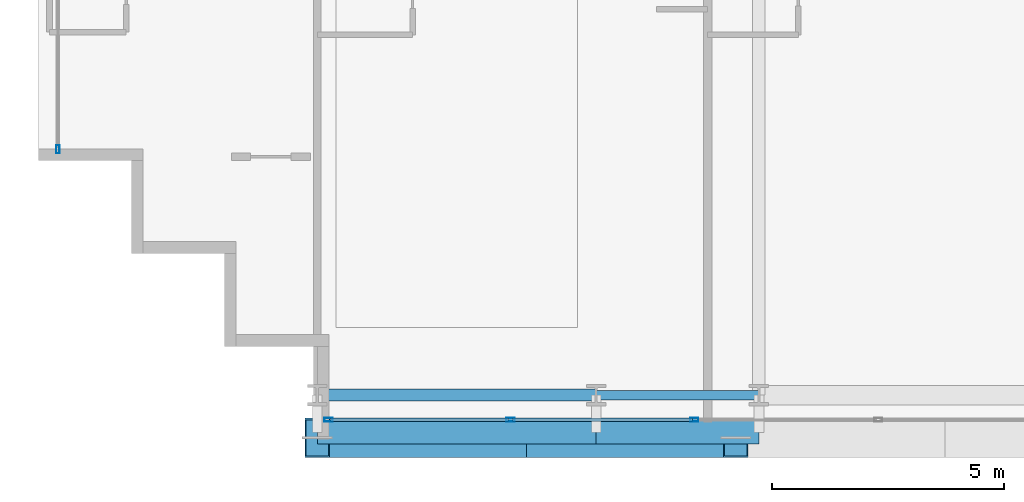
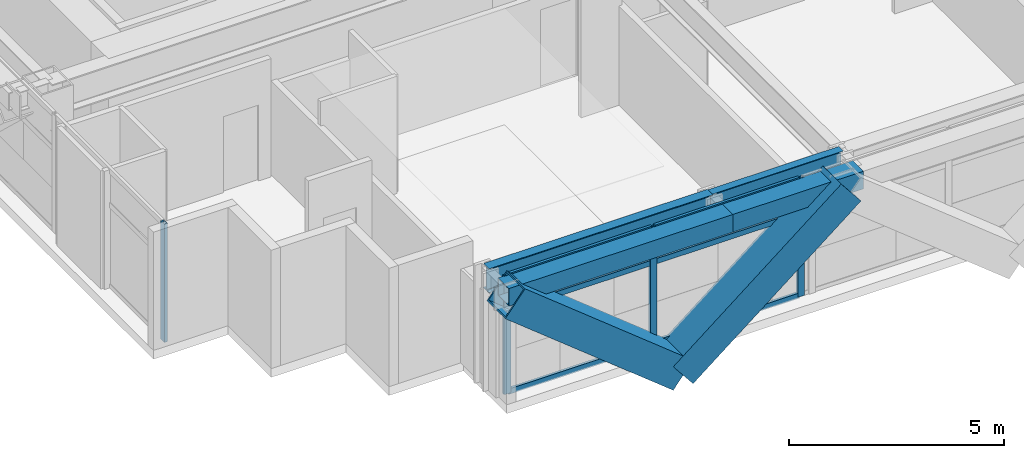
# One storey, part 2 of 38: 12 members, 4 beams, 2 elements without a shape of their own.
"""IFC4 building model written with IfcOpenShell, lengths in metres."""

from ifc_helpers import new_model, si_unit, direction, frame, origin, origin_2d, place, context, subcontext, project, spatial, hollow_rectangle, i_section, extrude, source, transform, mapped, material, layer, layer_set, material_profile, profile_set, type_object, element, aggregate, save


model = new_model("IFC4")

# Units and contexts
model_context = context("Model", 3, precision=1e-05, world=origin(), true_north=direction((0.0, 1.0)))
body_context = subcontext(model_context, "Body", "Model", "MODEL_VIEW")
ifc_project = project(units=[si_unit("LENGTHUNIT", "METRE"), si_unit("AREAUNIT", "SQUARE_METRE"), si_unit("VOLUMEUNIT", "CUBIC_METRE"), si_unit("PLANEANGLEUNIT", "RADIAN"), si_unit("MASSUNIT", "GRAM", prefix="KILO")], contexts=[model_context])

# Site, building, storey
site_placement = place(None, origin())
site = spatial("IfcSite", under=ifc_project, at=site_placement, CompositionType="ELEMENT")
building_placement = place(site_placement, origin())
building = spatial("IfcBuilding", under=site, at=building_placement, Name="Ocotamira Hotel", CompositionType="ELEMENT")
storey_placement = place(building_placement, frame((0.0, 0.0, 60.0)))
storey = spatial("IfcBuildingStorey", under=building, at=storey_placement, Name="L14", CompositionType="ELEMENT", Elevation=60.0)

# Beams
ifc_material_1 = material(Name="Steel ASTM A992 Grade 50", Category="steel")
ifc_material_profile_1 = material_profile(ifc_material_1, i_section(OverallWidth=0.256103515625, OverallDepth=0.693115234375, WebThickness=0.014404296875, FlangeThickness=0.023681640625, FilletRadius=0.01611328125, at=origin_2d()), Name="W27X114")
ifc_profile_set_1 = profile_set([ifc_material_profile_1], Name="Steel ASTM A992 Grade 50")
beam_type_1 = type_object("IfcBeamType", Name="BM-PRIM-W27X114", PredefinedType="BEAM", material=ifc_profile_set_1)
shared_shape_1 = source(origin(), body_context, "Body", "SweptSolid", [
    extrude(i_section(OverallWidth=0.256103515625, OverallDepth=0.693115234375, WebThickness=0.014404296875, FlangeThickness=0.023681640625, FilletRadius=0.01611328125, at=origin_2d()), origin(), (0.0, 0.0, 1.0), 6.0),
])
beam_1_placement = place(storey_placement, frame((14.0, 2.949951171875, 3.00341796875), z_axis=(1.0, 0.0, 0.0), x_axis=(0.0, 1.0, 0.0)))
element("IfcBeam", 1, at=beam_1_placement, inside=storey, type_object=beam_type_1, Name="L14 Girder Y2.95 X14-20", PredefinedType="BEAM", context=body_context, shape_type="MappedRepresentation", body=[
    mapped(shared_shape_1, transform((0.0, 0.0, 0.0), scale=1.0)),
])
ifc_material_profile_2 = material_profile(ifc_material_1, i_section(OverallWidth=0.2099609375, OverallDepth=0.537109375, WebThickness=0.010986328125, FlangeThickness=0.017333984375, FilletRadius=0.012939453125, at=origin_2d()), Name="W21X68")
ifc_profile_set_2 = profile_set([ifc_material_profile_2], Name="Steel ASTM A992 Grade 50")
beam_type_2 = type_object("IfcBeamType", Name="BM-SEC-W21X68", PredefinedType="JOIST", material=ifc_profile_set_2)
shared_shape_2 = source(origin(), body_context, "Body", "SweptSolid", [
    extrude(i_section(OverallWidth=0.2099609375, OverallDepth=0.537109375, WebThickness=0.010986328125, FlangeThickness=0.017333984375, FilletRadius=0.012939453125, at=origin_2d()), origin(), (0.0, 0.0, 1.0), 3.5),
])
beam_2_placement = place(storey_placement, frame((20.0, 2.949951171875, 3.08154296875), z_axis=(1.0, 0.0, 0.0), x_axis=(0.0, 1.0, 0.0)))
element("IfcBeam", 2, at=beam_2_placement, inside=storey, type_object=beam_type_2, Name="L14 Girder Y2.95 X20-23.5", PredefinedType="JOIST", context=body_context, shape_type="MappedRepresentation", body=[
    mapped(shared_shape_2, transform((0.0, 0.0, 0.0), scale=1.0)),
])
ifc_material_2 = material(Name="Steel ASTM A500 Grade C", Category="steel")
ifc_material_profile_3 = material_profile(ifc_material_2, hollow_rectangle(XDim=0.5, YDim=0.5, WallThickness=0.02001953125, at=origin_2d()), Name="HSS500X500X20")
ifc_profile_set_3 = profile_set([ifc_material_profile_3], Name="Steel ASTM A500 Grade C")
beam_type_3 = type_object("IfcBeamType", Name="BM-SPAN-HSS500", PredefinedType="USERDEFINED", material=ifc_profile_set_3)
shared_shape_3 = source(origin(), body_context, "Body", "SweptSolid", [
    extrude(hollow_rectangle(XDim=0.5, YDim=0.5, WallThickness=0.02001953125, at=origin_2d()), origin(), (0.0, 0.0, 1.0), 6.0),
])
beam_3_placement = place(storey_placement, frame((14.0, 2.14990234375, 3.10009765625), z_axis=(1.0, 0.0, 0.0), x_axis=(0.0, 1.0, 0.0)))
element("IfcBeam", 3, at=beam_3_placement, inside=storey, type_object=beam_type_3, Name="L14 Edge Spandrel S X14-20", ObjectType="SPANDREL", PredefinedType="USERDEFINED", context=body_context, shape_type="MappedRepresentation", body=[
    mapped(shared_shape_3, transform((0.0, 0.0, 0.0), scale=1.0)),
])
shared_shape_4 = source(origin(), body_context, "Body", "SweptSolid", [
    extrude(hollow_rectangle(XDim=0.5, YDim=0.5, WallThickness=0.02001953125, at=origin_2d()), origin(), (0.0, 0.0, 1.0), 3.5),
])
beam_4_placement = place(storey_placement, frame((20.0, 2.14990234375, 3.10009765625), z_axis=(1.0, 0.0, 0.0), x_axis=(0.0, 1.0, 0.0)))
element("IfcBeam", 4, at=beam_4_placement, inside=storey, type_object=beam_type_3, Name="L14 Edge Spandrel S X20-23.5", ObjectType="SPANDREL", PredefinedType="USERDEFINED", context=body_context, shape_type="MappedRepresentation", body=[
    mapped(shared_shape_4, transform((0.0, 0.0, 0.0), scale=1.0)),
])

# Members
ifc_material_3 = material(Name="Pale-metal coated steel ASTM A913 Grade 65", Category="steel")
ifc_material_profile_4 = material_profile(ifc_material_3, hollow_rectangle(XDim=0.85009765625, YDim=0.85009765625, WallThickness=0.035888671875, at=origin_2d()), Name="BOX850X850X36")
ifc_profile_set_4 = profile_set([ifc_material_profile_4], Name="Pale-metal coated steel ASTM A913 Grade 65")
member_type_1 = type_object("IfcMemberType", Name="MEM-EXO-BOX850", PredefinedType="BRACE", material=ifc_profile_set_4)
shared_shape_5 = source(origin(), body_context, "Body", "SweptSolid", [
    extrude(hollow_rectangle(XDim=0.85009765625, YDim=0.85009765625, WallThickness=0.035888671875, at=origin_2d()), origin(), (0.0, 0.0, 1.0), 5.762939453125),
])
for number, where, z_axis, x_axis, name in (
    (5, (18.5, 2.030029296875, -0.5), (-0.780860543151, 0.0, 0.624705380279), (0.0, -1.0, 0.0), "L14 Exoskeleton Diagrid S0.1"),
    (6, (18.5, 2.030029296875, -0.5), (0.780860543151, 0.0, 0.624705380279), (0.0, 1.0, 0.0), "L14 Exoskeleton Diagrid S0.2"),
):
    element("IfcMember", number, at=place(storey_placement, frame(where, z_axis=z_axis, x_axis=x_axis)), inside=storey, type_object=member_type_1, Name=name, PredefinedType="BRACE", context=body_context, shape_type="MappedRepresentation", body=[
        mapped(shared_shape_5, transform((0.0, 0.0, 0.0), scale=1.0)),
    ])

# Curtain wall, members
ifc_material_4 = material(Name="Anodised pale-metal aluminium and solar glass", Category="aluminium")
ifc_layer = layer(ifc_material_4, 0.179931640625)
ifc_layer_set = layer_set([ifc_layer], Name="Anodised pale-metal aluminium and solar glass")
curtain_wall_type = type_object("IfcCurtainWallType", Name="CW-SYS2-Z1", PredefinedType="NOTDEFINED", material=ifc_layer_set)
curtain_wall_1_placement = place(storey_placement, origin())
curtain_wall_1 = element("IfcCurtainWall", 7, at=curtain_wall_1_placement, inside=storey, type_object=curtain_wall_type, Name="L14 Curtain Wall CW-2 CW-L14-S1", PredefinedType="NOTDEFINED")
ifc_material_5 = material(Name="Anodised pale-metal aluminium 6063-T6", Category="aluminium")
ifc_material_profile_5 = material_profile(ifc_material_5, hollow_rectangle(XDim=0.074951171875, YDim=0.14990234375, WallThickness=0.006103515625, at=origin_2d()), Name="HSS150X75X6")
ifc_profile_set_5 = profile_set([ifc_material_profile_5], Name="Anodised pale-metal aluminium 6063-T6")
member_type_2 = type_object("IfcMemberType", Name="CWT-150X75", PredefinedType="USERDEFINED", material=ifc_profile_set_5)
shared_shape_6 = source(origin(), body_context, "Body", "SweptSolid", [
    extrude(hollow_rectangle(XDim=0.074951171875, YDim=0.14990234375, WallThickness=0.006103515625, at=origin_2d()), origin(), (0.0, 0.0, 1.0), 3.83544921875),
])
member_1_placement = place(storey_placement, frame((14.280029296875, 2.419921875, 0.03759765625), z_axis=(1.0, 0.0, 0.0), x_axis=(0.0, 1.0, 0.0)))
member_1 = element("IfcMember", 8, at=member_1_placement, type_object=member_type_2, Name="CW-2 transom 1.1", ObjectType="TRANSOM", PredefinedType="USERDEFINED", context=body_context, shape_type="MappedRepresentation", body=[
    mapped(shared_shape_6, transform((0.0, 0.0, 0.0), scale=1.0)),
])
member_2_placement = place(storey_placement, frame((14.280029296875, 2.419921875, 2.35009765625), z_axis=(1.0, 0.0, 0.0), x_axis=(0.0, 1.0, 0.0)))
member_2 = element("IfcMember", 9, at=member_2_placement, type_object=member_type_2, Name="CW-2 transom 1.2", ObjectType="TRANSOM", PredefinedType="USERDEFINED", context=body_context, shape_type="MappedRepresentation", body=[
    mapped(shared_shape_6, transform((0.0, 0.0, 0.0), scale=1.0)),
])
member_3_placement = place(storey_placement, frame((14.280029296875, 2.419921875, 3.3125), z_axis=(1.0, 0.0, 0.0), x_axis=(0.0, 1.0, 0.0)))
member_3 = element("IfcMember", 10, at=member_3_placement, type_object=member_type_2, Name="CW-2 transom 1.3", ObjectType="TRANSOM", PredefinedType="USERDEFINED", context=body_context, shape_type="MappedRepresentation", body=[
    mapped(shared_shape_6, transform((0.0, 0.0, 0.0), scale=1.0)),
])
shared_shape_7 = source(origin(), body_context, "Body", "SweptSolid", [
    extrude(hollow_rectangle(XDim=0.074951171875, YDim=0.14990234375, WallThickness=0.006103515625, at=origin_2d()), origin(), (0.0, 0.0, 1.0), 3.87548828125),
])
member_4_placement = place(storey_placement, frame((18.195556640625, 2.419921875, 0.03759765625), z_axis=(1.0, 0.0, 0.0), x_axis=(0.0, 1.0, 0.0)))
member_4 = element("IfcMember", 11, at=member_4_placement, type_object=member_type_2, Name="CW-2 transom 2.1", ObjectType="TRANSOM", PredefinedType="USERDEFINED", context=body_context, shape_type="MappedRepresentation", body=[
    mapped(shared_shape_7, transform((0.0, 0.0, 0.0), scale=1.0)),
])
member_5_placement = place(storey_placement, frame((18.195556640625, 2.419921875, 2.35009765625), z_axis=(1.0, 0.0, 0.0), x_axis=(0.0, 1.0, 0.0)))
member_5 = element("IfcMember", 12, at=member_5_placement, type_object=member_type_2, Name="CW-2 transom 2.2", ObjectType="TRANSOM", PredefinedType="USERDEFINED", context=body_context, shape_type="MappedRepresentation", body=[
    mapped(shared_shape_7, transform((0.0, 0.0, 0.0), scale=1.0)),
])
member_6_placement = place(storey_placement, frame((18.195556640625, 2.419921875, 3.3125), z_axis=(1.0, 0.0, 0.0), x_axis=(0.0, 1.0, 0.0)))
member_6 = element("IfcMember", 13, at=member_6_placement, type_object=member_type_2, Name="CW-2 transom 2.3", ObjectType="TRANSOM", PredefinedType="USERDEFINED", context=body_context, shape_type="MappedRepresentation", body=[
    mapped(shared_shape_7, transform((0.0, 0.0, 0.0), scale=1.0)),
])
ifc_material_profile_6 = material_profile(ifc_material_5, hollow_rectangle(XDim=0.080078125, YDim=0.179931640625, WallThickness=0.006103515625, at=origin_2d()), Name="HSS180X80X6")
ifc_profile_set_6 = profile_set([ifc_material_profile_6], Name="Anodised pale-metal aluminium 6063-T6")
member_type_3 = type_object("IfcMemberType", Name="CWM-180X75", PredefinedType="MULLION", material=ifc_profile_set_6)
shared_shape_8 = source(origin(), body_context, "Body", "SweptSolid", [
    extrude(hollow_rectangle(XDim=0.080078125, YDim=0.179931640625, WallThickness=0.006103515625, at=origin_2d()), origin(), (0.0, 0.0, 1.0), 3.35009765625),
])
member_7_placement = place(storey_placement, frame((14.239990234375, 2.419921875, 0.0), z_axis=(0.0, 0.0, 1.0), x_axis=(0.0, 1.0, 0.0)))
member_7 = element("IfcMember", 14, at=member_7_placement, type_object=member_type_3, Name="CW-2 mullion 1", PredefinedType="MULLION", context=body_context, shape_type="MappedRepresentation", body=[
    mapped(shared_shape_8, transform((0.0, 0.0, 0.0), scale=1.0)),
])
member_8_placement = place(storey_placement, frame((18.155517578125, 2.419921875, 0.0), z_axis=(0.0, 0.0, 1.0), x_axis=(0.0, 1.0, 0.0)))
member_8 = element("IfcMember", 15, at=member_8_placement, type_object=member_type_3, Name="CW-2 mullion 2", PredefinedType="MULLION", context=body_context, shape_type="MappedRepresentation", body=[
    mapped(shared_shape_8, transform((0.0, 0.0, 0.0), scale=1.0)),
])
member_9_placement = place(storey_placement, frame((22.111083984375, 2.419921875, 0.0), z_axis=(0.0, 0.0, 1.0), x_axis=(0.0, 1.0, 0.0)))
member_9 = element("IfcMember", 16, at=member_9_placement, type_object=member_type_3, Name="CW-2 mullion 3", PredefinedType="MULLION", context=body_context, shape_type="MappedRepresentation", body=[
    mapped(shared_shape_8, transform((0.0, 0.0, 0.0), scale=1.0)),
])
aggregate(curtain_wall_1, [member_7, member_8, member_9, member_1, member_2, member_3, member_4, member_5, member_6])

# Curtain wall, member
curtain_wall_2_placement = place(storey_placement, origin())
curtain_wall_2 = element("IfcCurtainWall", 17, at=curtain_wall_2_placement, inside=storey, type_object=curtain_wall_type, Name="L14 Curtain Wall CW-2 CW-L14-W", PredefinedType="NOTDEFINED")
member_10_placement = place(storey_placement, frame((8.419921875, 8.239990234375, 0.0), z_axis=(0.0, 0.0, 1.0), x_axis=(-1.0, 0.0, 0.0)))
member_10 = element("IfcMember", 18, at=member_10_placement, type_object=member_type_3, Name="CW-2 mullion 1", PredefinedType="MULLION", context=body_context, shape_type="MappedRepresentation", body=[
    mapped(shared_shape_8, transform((0.0, 0.0, 0.0), scale=1.0)),
])
aggregate(curtain_wall_2, [member_10])

save(model, "model.ifc")
